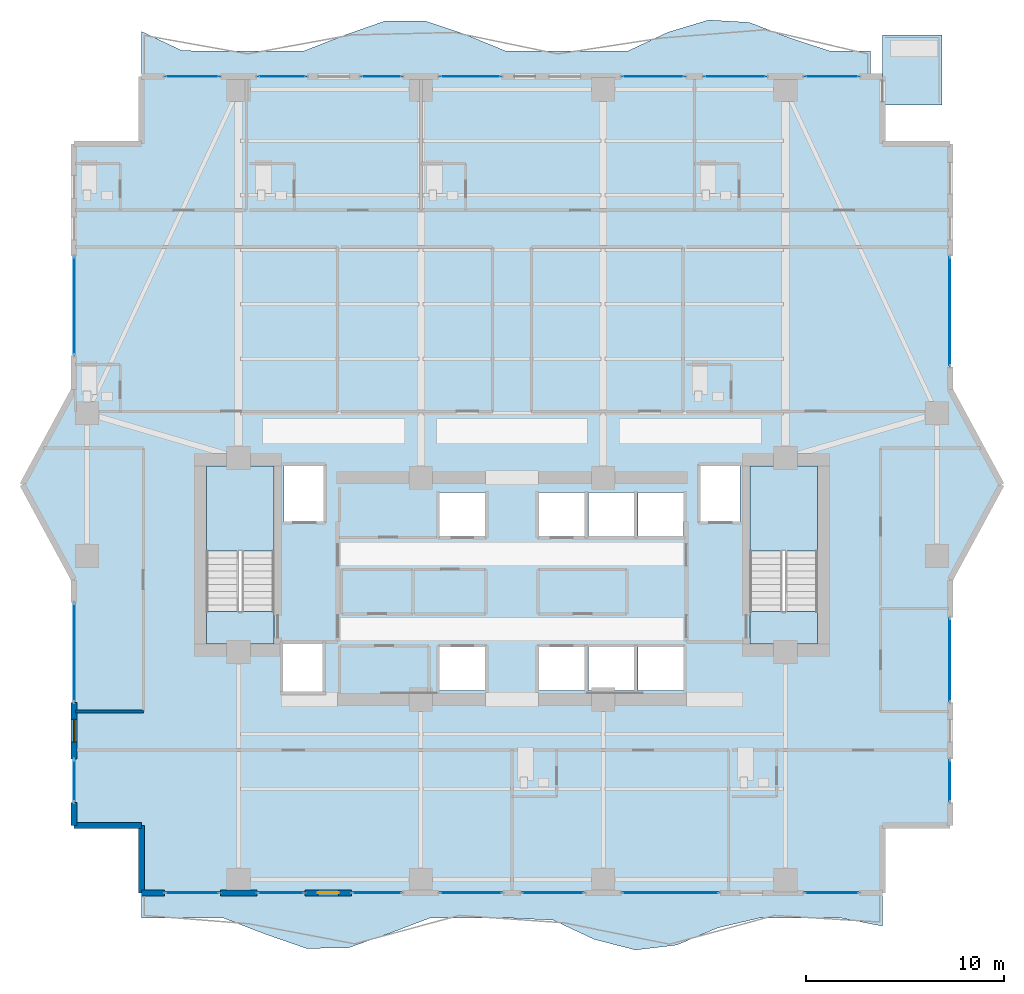
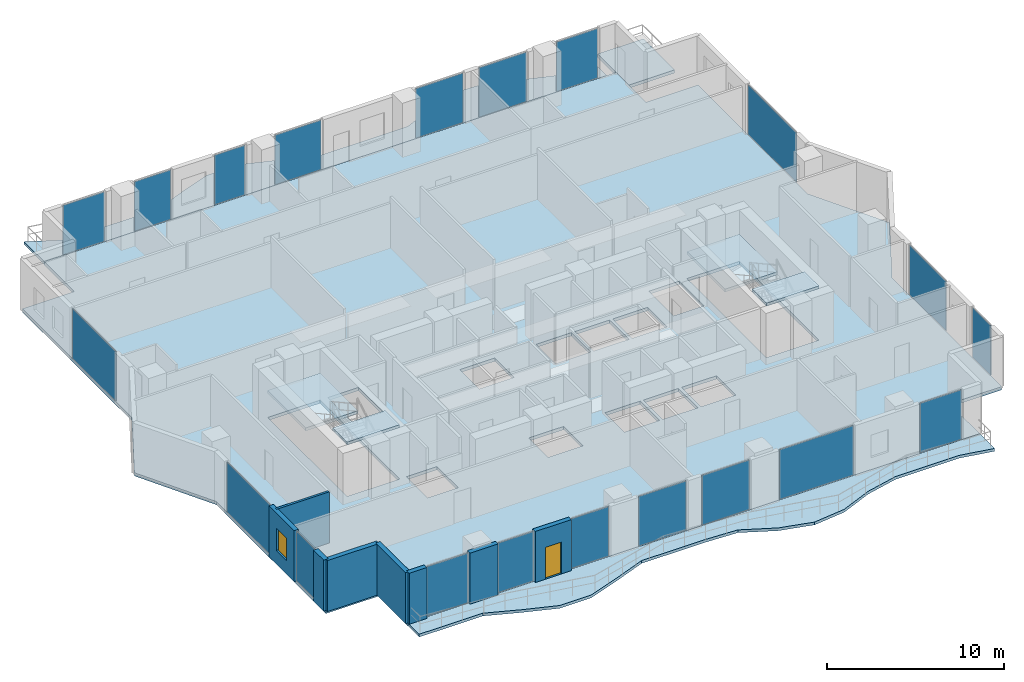
# One storey, part 24 of 32: 20 plates, 8 slabs, 8 walls, 1 door, 1 window, 2 openings, 22 elements without a shape of their own.
"""IFC4 building model written with IfcOpenShell, lengths in metres."""

from ifc_helpers import new_model, si_unit, direction, frame, frame_2d, origin, origin_2d, place, context, subcontext, project, spatial, polyline, rectangle, outline, extrude, material, layer, layer_set, type_object, element, fill, aggregate, save


model = new_model("IFC4")

# Units and contexts
model_context = context("Model", 3, precision=1e-05, world=origin(), true_north=direction((0.0, 1.0)))
body_context = subcontext(model_context, "Body", "Model", "MODEL_VIEW")
ifc_project = project(units=[si_unit("LENGTHUNIT", "METRE"), si_unit("AREAUNIT", "SQUARE_METRE"), si_unit("VOLUMEUNIT", "CUBIC_METRE"), si_unit("PLANEANGLEUNIT", "RADIAN"), si_unit("MASSUNIT", "GRAM", prefix="KILO")], contexts=[model_context])

# Site, building, storey
site_placement = place(None, origin())
site = spatial("IfcSite", under=ifc_project, at=site_placement, CompositionType="ELEMENT")
building_placement = place(site_placement, origin())
building = spatial("IfcBuilding", under=site, at=building_placement, Name="Zuhayl Quay Hotel", CompositionType="ELEMENT")
storey_placement = place(building_placement, frame((0.0, 0.0, 218.64990234375)))
storey = spatial("IfcBuildingStorey", under=building, at=storey_placement, Name="L55", CompositionType="ELEMENT", Elevation=218.64990234375)

# Curtain wall, plate
ifc_material_1 = material(Name="Anodised Aluminium 6063-T6", Category="aluminium")
ifc_layer_1 = layer(ifc_material_1, 0.175048828125, Name="Anodised Aluminium 6063-T6", Category="aluminium")
ifc_layer_set_1 = layer_set([ifc_layer_1], Name="Anodised Aluminium 6063-T6")
curtain_wall_type = type_object("IfcCurtainWallType", Name="CW_SYS_Z3", PredefinedType="USERDEFINED", material=ifc_layer_set_1)
curtain_wall_1_placement = place(storey_placement, origin())
curtain_wall_1 = element("IfcCurtainWall", 1, at=curtain_wall_1_placement, inside=storey, type_object=curtain_wall_type, Name="L55 Curtain Wall ENV_L55_E02_CW1", ObjectType="UNITISED CURTAIN WALL", PredefinedType="USERDEFINED")
ifc_material_2 = material(Name="Dark Ceramic-Fritted Solar Glass", Category="glass")
ifc_layer_2 = layer(ifc_material_2, 0.0400390625, Name="Dark Ceramic-Fritted Solar Glass", Category="glass")
ifc_layer_set_2 = layer_set([ifc_layer_2], Name="Dark Ceramic-Fritted Solar Glass")
plate_type = type_object("IfcPlateType", Name="PN_OP_VENT_Z3", PredefinedType="CURTAIN_PANEL", material=ifc_layer_set_2)
plate_1_placement = place(storey_placement, frame((-22.10009765625, -1.949951171875, 0.05517578125), z_axis=(0.0, 0.0, 1.0), x_axis=(0.0, 1.0, 0.0)))
plate_1 = element("IfcPlate", 2, at=plate_1_placement, type_object=plate_type, Name="CW-Z3 panel 1.1", PredefinedType="CURTAIN_PANEL", context=body_context, shape_type="SweptSolid", body=[
    extrude(rectangle(XDim=2.070068359375, YDim=0.0400390625, at=origin_2d()), origin(), (0.0, 0.0, 1.0), 3.419921875),
])
aggregate(curtain_wall_1, [plate_1])

curtain_wall_2_placement = place(storey_placement, origin())
curtain_wall_2 = element("IfcCurtainWall", 3, at=curtain_wall_2_placement, inside=storey, type_object=curtain_wall_type, Name="L55 Curtain Wall ENV_L55_E02_CW2", ObjectType="UNITISED CURTAIN WALL", PredefinedType="USERDEFINED")
plate_2_placement = place(storey_placement, frame((-22.10009765625, 4.52490234375, 0.05517578125), z_axis=(0.0, 0.0, 1.0), x_axis=(0.0, 1.0, 0.0)))
plate_2 = element("IfcPlate", 4, at=plate_2_placement, type_object=plate_type, Name="CW-Z3 panel 1.1", PredefinedType="CURTAIN_PANEL", context=body_context, shape_type="SweptSolid", body=[
    extrude(rectangle(XDim=4.919921875, YDim=0.0400390625, at=origin_2d()), origin(), (0.0, 0.0, 1.0), 3.419921875),
])
aggregate(curtain_wall_2, [plate_2])

curtain_wall_3_placement = place(storey_placement, origin())
curtain_wall_3 = element("IfcCurtainWall", 5, at=curtain_wall_3_placement, inside=storey, type_object=curtain_wall_type, Name="L55 Curtain Wall ENV_L55_E05_CW1", ObjectType="UNITISED CURTAIN WALL", PredefinedType="USERDEFINED")
plate_3_placement = place(storey_placement, frame((-22.10009765625, 22.030029296875, 0.05517578125), z_axis=(0.0, 0.0, 1.0), x_axis=(0.0, 1.0, 0.0)))
plate_3 = element("IfcPlate", 6, at=plate_3_placement, type_object=plate_type, Name="CW-Z3 panel 1.1", PredefinedType="CURTAIN_PANEL", context=body_context, shape_type="SweptSolid", body=[
    extrude(rectangle(XDim=4.909912109375, YDim=0.0400390625, at=origin_2d()), origin(), (0.0, 0.0, 1.0), 3.419921875),
])
aggregate(curtain_wall_3, [plate_3])

curtain_wall_4_placement = place(storey_placement, origin())
curtain_wall_4 = element("IfcCurtainWall", 7, at=curtain_wall_4_placement, inside=storey, type_object=curtain_wall_type, Name="L55 Curtain Wall ENV_L55_N_CW1", ObjectType="UNITISED CURTAIN WALL", PredefinedType="USERDEFINED")
plate_4_placement = place(storey_placement, frame((-16.135009765625, 33.60009765625, 0.05517578125), z_axis=(0.0, 0.0, 1.0), x_axis=(1.0, 0.0, 0.0)))
plate_4 = element("IfcPlate", 8, at=plate_4_placement, type_object=plate_type, Name="CW-Z3 panel 1.1", PredefinedType="CURTAIN_PANEL", context=body_context, shape_type="SweptSolid", body=[
    extrude(rectangle(XDim=2.699951171875, YDim=0.0400390625, at=origin_2d()), origin(), (0.0, 0.0, 1.0), 3.419921875),
])
aggregate(curtain_wall_4, [plate_4])

curtain_wall_5_placement = place(storey_placement, origin())
curtain_wall_5 = element("IfcCurtainWall", 9, at=curtain_wall_5_placement, inside=storey, type_object=curtain_wall_type, Name="L55 Curtain Wall ENV_L55_N_CW2", ObjectType="UNITISED CURTAIN WALL", PredefinedType="USERDEFINED")
plate_5_placement = place(storey_placement, frame((-11.614990234375, 33.60009765625, 0.05517578125), z_axis=(0.0, 0.0, 1.0), x_axis=(1.0, 0.0, 0.0)))
plate_5 = element("IfcPlate", 10, at=plate_5_placement, type_object=plate_type, Name="CW-Z3 panel 1.1", PredefinedType="CURTAIN_PANEL", context=body_context, shape_type="SweptSolid", body=[
    extrude(rectangle(XDim=2.39990234375, YDim=0.0400390625, at=origin_2d()), origin(), (0.0, 0.0, 1.0), 3.419921875),
])
aggregate(curtain_wall_5, [plate_5])

curtain_wall_6_placement = place(storey_placement, origin())
curtain_wall_6 = element("IfcCurtainWall", 11, at=curtain_wall_6_placement, inside=storey, type_object=curtain_wall_type, Name="L55 Curtain Wall ENV_L55_N_CW3", ObjectType="UNITISED CURTAIN WALL", PredefinedType="USERDEFINED")
plate_6_placement = place(storey_placement, frame((-6.5849609375, 33.60009765625, 0.05517578125), z_axis=(0.0, 0.0, 1.0), x_axis=(1.0, 0.0, 0.0)))
plate_6 = element("IfcPlate", 12, at=plate_6_placement, type_object=plate_type, Name="CW-Z3 panel 1.1", PredefinedType="CURTAIN_PANEL", context=body_context, shape_type="SweptSolid", body=[
    extrude(rectangle(XDim=2.0, YDim=0.0400390625, at=origin_2d()), origin(), (0.0, 0.0, 1.0), 3.419921875),
])
aggregate(curtain_wall_6, [plate_6])

curtain_wall_7_placement = place(storey_placement, origin())
curtain_wall_7 = element("IfcCurtainWall", 13, at=curtain_wall_7_placement, inside=storey, type_object=curtain_wall_type, Name="L55 Curtain Wall ENV_L55_N_CW4", ObjectType="UNITISED CURTAIN WALL", PredefinedType="USERDEFINED")
plate_7_placement = place(storey_placement, frame((-2.10546875, 33.60009765625, 0.05517578125), z_axis=(0.0, 0.0, 1.0), x_axis=(1.0, 0.0, 0.0)))
plate_7 = element("IfcPlate", 14, at=plate_7_placement, type_object=plate_type, Name="CW-Z3 panel 1.1", PredefinedType="CURTAIN_PANEL", context=body_context, shape_type="SweptSolid", body=[
    extrude(rectangle(XDim=3.01904296875, YDim=0.0400390625, at=origin_2d()), origin(), (0.0, 0.0, 1.0), 3.419921875),
])
aggregate(curtain_wall_7, [plate_7])

curtain_wall_8_placement = place(storey_placement, origin())
curtain_wall_8 = element("IfcCurtainWall", 15, at=curtain_wall_8_placement, inside=storey, type_object=curtain_wall_type, Name="L55 Curtain Wall ENV_L55_N_CW5", ObjectType="UNITISED CURTAIN WALL", PredefinedType="USERDEFINED")
plate_8_placement = place(storey_placement, frame((7.135009765625, 33.60009765625, 0.05517578125), z_axis=(0.0, 0.0, 1.0), x_axis=(1.0, 0.0, 0.0)))
plate_8 = element("IfcPlate", 16, at=plate_8_placement, type_object=plate_type, Name="CW-Z3 panel 1.1", PredefinedType="CURTAIN_PANEL", context=body_context, shape_type="SweptSolid", body=[
    extrude(rectangle(XDim=3.10009765625, YDim=0.0400390625, at=origin_2d()), origin(), (0.0, 0.0, 1.0), 3.419921875),
])
aggregate(curtain_wall_8, [plate_8])

curtain_wall_9_placement = place(storey_placement, origin())
curtain_wall_9 = element("IfcCurtainWall", 17, at=curtain_wall_9_placement, inside=storey, type_object=curtain_wall_type, Name="L55 Curtain Wall ENV_L55_N_CW6", ObjectType="UNITISED CURTAIN WALL", PredefinedType="USERDEFINED")
plate_9_placement = place(storey_placement, frame((11.264892578125, 33.60009765625, 0.05517578125), z_axis=(0.0, 0.0, 1.0), x_axis=(1.0, 0.0, 0.0)))
plate_9 = element("IfcPlate", 18, at=plate_9_placement, type_object=plate_type, Name="CW-Z3 panel 1.1", PredefinedType="CURTAIN_PANEL", context=body_context, shape_type="SweptSolid", body=[
    extrude(rectangle(XDim=3.10009765625, YDim=0.0400390625, at=origin_2d()), origin(), (0.0, 0.0, 1.0), 3.419921875),
])
aggregate(curtain_wall_9, [plate_9])

curtain_wall_10_placement = place(storey_placement, origin())
curtain_wall_10 = element("IfcCurtainWall", 19, at=curtain_wall_10_placement, inside=storey, type_object=curtain_wall_type, Name="L55 Curtain Wall ENV_L55_N_CW7", ObjectType="UNITISED CURTAIN WALL", PredefinedType="USERDEFINED")
plate_10_placement = place(storey_placement, frame((16.135009765625, 33.60009765625, 0.05517578125), z_axis=(0.0, 0.0, 1.0), x_axis=(1.0, 0.0, 0.0)))
plate_10 = element("IfcPlate", 20, at=plate_10_placement, type_object=plate_type, Name="CW-Z3 panel 1.1", PredefinedType="CURTAIN_PANEL", context=body_context, shape_type="SweptSolid", body=[
    extrude(rectangle(XDim=2.699951171875, YDim=0.0400390625, at=origin_2d()), origin(), (0.0, 0.0, 1.0), 3.419921875),
])
aggregate(curtain_wall_10, [plate_10])

curtain_wall_11_placement = place(storey_placement, origin())
curtain_wall_11 = element("IfcCurtainWall", 21, at=curtain_wall_11_placement, inside=storey, type_object=curtain_wall_type, Name="L55 Curtain Wall ENV_L55_E11_CW1", ObjectType="UNITISED CURTAIN WALL", PredefinedType="USERDEFINED")
plate_11_placement = place(storey_placement, frame((22.10009765625, 21.75, 0.05517578125), z_axis=(0.0, 0.0, 1.0), x_axis=(0.0, -1.0, 0.0)))
plate_11 = element("IfcPlate", 22, at=plate_11_placement, type_object=plate_type, Name="CW-Z3 panel 1.1", PredefinedType="CURTAIN_PANEL", context=body_context, shape_type="SweptSolid", body=[
    extrude(rectangle(XDim=5.469970703125, YDim=0.0400390625, at=origin_2d()), origin(), (0.0, 0.0, 1.0), 3.419921875),
])
aggregate(curtain_wall_11, [plate_11])

curtain_wall_12_placement = place(storey_placement, origin())
curtain_wall_12 = element("IfcCurtainWall", 23, at=curtain_wall_12_placement, inside=storey, type_object=curtain_wall_type, Name="L55 Curtain Wall ENV_L55_E14_CW1", ObjectType="UNITISED CURTAIN WALL", PredefinedType="USERDEFINED")
plate_12_placement = place(storey_placement, frame((22.10009765625, 4.14990234375, 0.05517578125), z_axis=(0.0, 0.0, 1.0), x_axis=(0.0, -1.0, 0.0)))
plate_12 = element("IfcPlate", 24, at=plate_12_placement, type_object=plate_type, Name="CW-Z3 panel 1.1", PredefinedType="CURTAIN_PANEL", context=body_context, shape_type="SweptSolid", body=[
    extrude(rectangle(XDim=4.169921875, YDim=0.0400390625, at=origin_2d()), origin(), (0.0, 0.0, 1.0), 3.419921875),
])
aggregate(curtain_wall_12, [plate_12])

curtain_wall_13_placement = place(storey_placement, origin())
curtain_wall_13 = element("IfcCurtainWall", 25, at=curtain_wall_13_placement, inside=storey, type_object=curtain_wall_type, Name="L55 Curtain Wall ENV_L55_E14_CW2", ObjectType="UNITISED CURTAIN WALL", PredefinedType="USERDEFINED")
plate_13_placement = place(storey_placement, frame((22.10009765625, -1.949951171875, 0.05517578125), z_axis=(0.0, 0.0, 1.0), x_axis=(0.0, -1.0, 0.0)))
plate_13 = element("IfcPlate", 26, at=plate_13_placement, type_object=plate_type, Name="CW-Z3 panel 1.1", PredefinedType="CURTAIN_PANEL", context=body_context, shape_type="SweptSolid", body=[
    extrude(rectangle(XDim=2.070068359375, YDim=0.0400390625, at=origin_2d()), origin(), (0.0, 0.0, 1.0), 3.419921875),
])
aggregate(curtain_wall_13, [plate_13])

curtain_wall_14_placement = place(storey_placement, origin())
curtain_wall_14 = element("IfcCurtainWall", 27, at=curtain_wall_14_placement, inside=storey, type_object=curtain_wall_type, Name="L55 Curtain Wall ENV_L55_S_CW1", ObjectType="UNITISED CURTAIN WALL", PredefinedType="USERDEFINED")
plate_14_placement = place(storey_placement, frame((16.135009765625, -7.60009765625, 0.05517578125), z_axis=(0.0, 0.0, 1.0), x_axis=(-1.0, 0.0, 0.0)))
plate_14 = element("IfcPlate", 28, at=plate_14_placement, type_object=plate_type, Name="CW-Z3 panel 1.1", PredefinedType="CURTAIN_PANEL", context=body_context, shape_type="SweptSolid", body=[
    extrude(rectangle(XDim=2.699951171875, YDim=0.0400390625, at=origin_2d()), origin(), (0.0, 0.0, 1.0), 3.419921875),
])
aggregate(curtain_wall_14, [plate_14])

curtain_wall_15_placement = place(storey_placement, origin())
curtain_wall_15 = element("IfcCurtainWall", 29, at=curtain_wall_15_placement, inside=storey, type_object=curtain_wall_type, Name="L55 Curtain Wall ENV_L55_S_CW2", ObjectType="UNITISED CURTAIN WALL", PredefinedType="USERDEFINED")
plate_15_placement = place(storey_placement, frame((8.0048828125, -7.60009765625, 0.05517578125), z_axis=(0.0, 0.0, 1.0), x_axis=(-1.0, 0.0, 0.0)))
plate_15 = element("IfcPlate", 30, at=plate_15_placement, type_object=plate_type, Name="CW-Z3 panel 1.1", PredefinedType="CURTAIN_PANEL", context=body_context, shape_type="SweptSolid", body=[
    extrude(rectangle(XDim=4.840087890625, YDim=0.0400390625, at=origin_2d()), origin(), (0.0, 0.0, 1.0), 3.419921875),
])
aggregate(curtain_wall_15, [plate_15])

curtain_wall_16_placement = place(storey_placement, origin())
curtain_wall_16 = element("IfcCurtainWall", 31, at=curtain_wall_16_placement, inside=storey, type_object=curtain_wall_type, Name="L55 Curtain Wall ENV_L55_S_CW3", ObjectType="UNITISED CURTAIN WALL", PredefinedType="USERDEFINED")
plate_16_placement = place(storey_placement, frame((2.06494140625, -7.60009765625, 0.05517578125), z_axis=(0.0, 0.0, 1.0), x_axis=(-1.0, 0.0, 0.0)))
plate_16 = element("IfcPlate", 32, at=plate_16_placement, type_object=plate_type, Name="CW-Z3 panel 1.1", PredefinedType="CURTAIN_PANEL", context=body_context, shape_type="SweptSolid", body=[
    extrude(rectangle(XDim=3.10009765625, YDim=0.0400390625, at=origin_2d()), origin(), (0.0, 0.0, 1.0), 3.419921875),
])
aggregate(curtain_wall_16, [plate_16])

curtain_wall_17_placement = place(storey_placement, origin())
curtain_wall_17 = element("IfcCurtainWall", 33, at=curtain_wall_17_placement, inside=storey, type_object=curtain_wall_type, Name="L55 Curtain Wall ENV_L55_S_CW4", ObjectType="UNITISED CURTAIN WALL", PredefinedType="USERDEFINED")
plate_17_placement = place(storey_placement, frame((-2.06494140625, -7.60009765625, 0.05517578125), z_axis=(0.0, 0.0, 1.0), x_axis=(-1.0, 0.0, 0.0)))
plate_17 = element("IfcPlate", 34, at=plate_17_placement, type_object=plate_type, Name="CW-Z3 panel 1.1", PredefinedType="CURTAIN_PANEL", context=body_context, shape_type="SweptSolid", body=[
    extrude(rectangle(XDim=3.10009765625, YDim=0.0400390625, at=origin_2d()), origin(), (0.0, 0.0, 1.0), 3.419921875),
])
aggregate(curtain_wall_17, [plate_17])

curtain_wall_18_placement = place(storey_placement, origin())
curtain_wall_18 = element("IfcCurtainWall", 35, at=curtain_wall_18_placement, inside=storey, type_object=curtain_wall_type, Name="L55 Curtain Wall ENV_L55_S_CW5", ObjectType="UNITISED CURTAIN WALL", PredefinedType="USERDEFINED")
plate_18_placement = place(storey_placement, frame((-6.81005859375, -7.60009765625, 0.05517578125), z_axis=(0.0, 0.0, 1.0), x_axis=(-1.0, 0.0, 0.0)))
plate_18 = element("IfcPlate", 36, at=plate_18_placement, type_object=plate_type, Name="CW-Z3 panel 1.1", PredefinedType="CURTAIN_PANEL", context=body_context, shape_type="SweptSolid", body=[
    extrude(rectangle(XDim=2.449951171875, YDim=0.0400390625, at=origin_2d()), origin(), (0.0, 0.0, 1.0), 3.419921875),
])
aggregate(curtain_wall_18, [plate_18])

curtain_wall_19_placement = place(storey_placement, origin())
curtain_wall_19 = element("IfcCurtainWall", 37, at=curtain_wall_19_placement, inside=storey, type_object=curtain_wall_type, Name="L55 Curtain Wall ENV_L55_S_CW6", ObjectType="UNITISED CURTAIN WALL", PredefinedType="USERDEFINED")
plate_19_placement = place(storey_placement, frame((-11.6650390625, -7.60009765625, 0.05517578125), z_axis=(0.0, 0.0, 1.0), x_axis=(-1.0, 0.0, 0.0)))
plate_19 = element("IfcPlate", 38, at=plate_19_placement, type_object=plate_type, Name="CW-Z3 panel 1.1", PredefinedType="CURTAIN_PANEL", context=body_context, shape_type="SweptSolid", body=[
    extrude(rectangle(XDim=2.300048828125, YDim=0.0400390625, at=origin_2d()), origin(), (0.0, 0.0, 1.0), 3.419921875),
])
aggregate(curtain_wall_19, [plate_19])

curtain_wall_20_placement = place(storey_placement, origin())
curtain_wall_20 = element("IfcCurtainWall", 39, at=curtain_wall_20_placement, inside=storey, type_object=curtain_wall_type, Name="L55 Curtain Wall ENV_L55_S_CW7", ObjectType="UNITISED CURTAIN WALL", PredefinedType="USERDEFINED")
plate_20_placement = place(storey_placement, frame((-16.135009765625, -7.60009765625, 0.05517578125), z_axis=(0.0, 0.0, 1.0), x_axis=(-1.0, 0.0, 0.0)))
plate_20 = element("IfcPlate", 40, at=plate_20_placement, type_object=plate_type, Name="CW-Z3 panel 1.1", PredefinedType="CURTAIN_PANEL", context=body_context, shape_type="SweptSolid", body=[
    extrude(rectangle(XDim=2.699951171875, YDim=0.0400390625, at=origin_2d()), origin(), (0.0, 0.0, 1.0), 3.419921875),
])
aggregate(curtain_wall_20, [plate_20])

# Slabs
ifc_material_3 = material(Name="Concrete C45/55", Category="concrete")
ifc_layer_3 = layer(ifc_material_3, 0.195068359375, Name="Concrete C45/55", Category="concrete")
ifc_layer_set_3 = layer_set([ifc_layer_3], Name="Concrete C45/55")
slab_type_1 = type_object("IfcSlabType", Name="SL_BALCONY_195", PredefinedType="FLOOR", material=ifc_layer_set_3)
slab_1_placement = place(storey_placement, frame((0.0, 0.0, -0.19482421875)))
element("IfcSlab", 41, at=slab_1_placement, inside=storey, type_object=slab_type_1, Name="L55 Exterior Rippling Balcony Slab North", PredefinedType="FLOOR", context=body_context, shape_type="SweptSolid", body=[
    extrude(outline(polyline([(-18.699951171875, 33.60009765625), (18.10009765625, 33.60009765625), (18.10009765625, 34.8798828125), (16.0556640625, 34.8798828125), (14.010986328125, 35.552490234375), (11.966796875, 36.33251953125), (9.922119140625, 36.45166015625), (7.877685546875, 35.8369140625), (5.833251953125, 34.8798828125), (3.788818359375, 34.8798828125), (1.744384765625, 34.8798828125), (-0.300048828125, 34.8798828125), (-2.344482421875, 35.71826171875), (-4.388916015625, 36.408935546875), (-6.433349609375, 36.391845703125), (-8.477783203125, 35.677490234375), (-10.522216796875, 34.8798828125), (-12.566650390625, 34.8798828125), (-14.611083984375, 34.8798828125), (-16.655517578125, 34.905517578125), (-18.699951171875, 35.875), (-18.699951171875, 33.60009765625)])), origin(), (0.0, 0.0, 1.0), 0.19482421875),
])
slab_2_placement = place(storey_placement, frame((0.0, 0.0, -0.19482421875)))
element("IfcSlab", 42, at=slab_2_placement, inside=storey, type_object=slab_type_1, Name="L55 Exterior Rippling Balcony Slab South", PredefinedType="FLOOR", context=body_context, shape_type="SweptSolid", body=[
    extrude(outline(polyline([(-18.699951171875, -8.8798828125), (-16.622314453125, -8.8798828125), (-14.54443359375, -8.8798828125), (-12.466796875, -9.6826171875), (-10.388916015625, -10.400634765625), (-8.31103515625, -10.39404296875), (-6.2333984375, -9.667236328125), (-4.155517578125, -8.8798828125), (-2.077880859375, -8.8798828125), (0.0, -8.8798828125), (2.077880859375, -8.9794921875), (4.155517578125, -9.95361328125), (6.2333984375, -10.484619140625), (8.31103515625, -10.23828125), (10.388916015625, -9.369873046875), (12.466796875, -8.8798828125), (14.54443359375, -8.8798828125), (16.622314453125, -8.8798828125), (18.699951171875, -9.28271484375), (18.699951171875, -7.60009765625), (-18.699951171875, -7.60009765625), (-18.699951171875, -8.8798828125)])), origin(), (0.0, 0.0, 1.0), 0.19482421875),
])
ifc_layer_4 = layer(ifc_material_3, 0.219970703125, Name="Concrete C45/55", Category="concrete")
ifc_layer_set_4 = layer_set([ifc_layer_4], Name="Concrete C45/55")
slab_type_2 = type_object("IfcSlabType", Name="SL_FLOOR_220", PredefinedType="FLOOR", material=ifc_layer_set_4)
slab_3_placement = place(storey_placement, frame((0.0, 0.0, -0.219970703125)))
element("IfcSlab", 43, at=slab_3_placement, inside=storey, type_object=slab_type_2, Name="L55 Structural Floor Slab", PredefinedType="FLOOR", context=body_context, shape_type="SweptSolid", body=[
    extrude(outline(polyline([(-18.699951171875, -7.60009765625), (18.699951171875, -7.60009765625), (18.699951171875, -4.199951171875), (22.10009765625, -4.199951171875), (22.10009765625, 8.199951171875), (24.699951171875, 13.0), (22.10009765625, 17.800048828125), (22.10009765625, 30.199951171875), (18.699951171875, 30.199951171875), (18.699951171875, 33.60009765625), (-18.699951171875, 33.60009765625), (-18.699951171875, 30.199951171875), (-22.10009765625, 30.199951171875), (-22.10009765625, 17.800048828125), (-24.699951171875, 13.0), (-22.10009765625, 8.199951171875), (-22.10009765625, -4.199951171875), (-18.699951171875, -4.199951171875), (-18.699951171875, -7.60009765625)]), holes=[polyline([(-12.0, 4.949951171875), (-12.0, 13.949951171875), (-15.429931640625, 13.949951171875), (-15.429931640625, 4.949951171875), (-12.0, 4.949951171875)]), polyline([(15.429931640625, 4.949951171875), (15.429931640625, 13.949951171875), (12.0, 13.949951171875), (12.0, 4.949951171875), (15.429931640625, 4.949951171875)]), polyline([(-11.5, 11.14990234375), (-9.5, 11.14990234375), (-9.5, 13.949951171875), (-11.5, 13.949951171875), (-11.5, 11.14990234375)]), polyline([(9.5, 11.14990234375), (11.5, 11.14990234375), (11.5, 13.949951171875), (9.5, 13.949951171875), (9.5, 11.14990234375)]), polyline([(-3.64990234375, 2.60009765625), (-1.35009765625, 2.60009765625), (-1.35009765625, 4.800048828125), (-3.64990234375, 4.800048828125), (-3.64990234375, 2.60009765625)]), polyline([(1.35009765625, 2.60009765625), (3.64990234375, 2.60009765625), (3.64990234375, 4.800048828125), (1.35009765625, 4.800048828125), (1.35009765625, 2.60009765625)]), polyline([(-3.64990234375, 10.39990234375), (-1.35009765625, 10.39990234375), (-1.35009765625, 12.60009765625), (-3.64990234375, 12.60009765625), (-3.64990234375, 10.39990234375)]), polyline([(1.35009765625, 10.39990234375), (3.64990234375, 10.39990234375), (3.64990234375, 12.60009765625), (1.35009765625, 12.60009765625), (1.35009765625, 10.39990234375)]), polyline([(3.85009765625, 2.60009765625), (6.14990234375, 2.60009765625), (6.14990234375, 4.800048828125), (3.85009765625, 4.800048828125), (3.85009765625, 2.60009765625)]), polyline([(6.35009765625, 2.60009765625), (8.64990234375, 2.60009765625), (8.64990234375, 4.800048828125), (6.35009765625, 4.800048828125), (6.35009765625, 2.60009765625)]), polyline([(3.85009765625, 10.39990234375), (6.14990234375, 10.39990234375), (6.14990234375, 12.60009765625), (3.85009765625, 12.60009765625), (3.85009765625, 10.39990234375)]), polyline([(6.35009765625, 10.39990234375), (8.64990234375, 10.39990234375), (8.64990234375, 12.60009765625), (6.35009765625, 12.60009765625), (6.35009765625, 10.39990234375)]), polyline([(-11.550048828125, 2.550048828125), (-9.550048828125, 2.550048828125), (-9.550048828125, 4.949951171875), (-11.550048828125, 4.949951171875), (-11.550048828125, 2.550048828125)])]), origin(), (0.0, 0.0, 1.0), 0.219970703125),
])

# Stair, slabs
stair_type = type_object("IfcStairType", Name="ST_DOGLEG_TOWER", PredefinedType="HALF_TURN_STAIR", material=ifc_material_3)
stair_1_placement = place(storey_placement, origin())
stair_1 = element("IfcStair", 44, at=stair_1_placement, inside=storey, type_object=stair_type, Name="L55 Smokeproof Exit Stair ST1", PredefinedType="HALF_TURN_STAIR")
ifc_layer_5 = layer(ifc_material_3, 0.199951171875, Name="Concrete C45/55", Category="concrete")
ifc_layer_set_5 = layer_set([ifc_layer_5], Name="Concrete C45/55")
slab_type_3 = type_object("IfcSlabType", Name="SL_STAIR_LANDING_200", PredefinedType="LANDING", material=ifc_layer_set_5)
slab_4_placement = place(storey_placement, frame((0.0, 0.0, 1.675048828125)))
slab_4 = element("IfcSlab", 45, at=slab_4_placement, type_object=slab_type_3, Name="ST1 landing 1", PredefinedType="LANDING", context=body_context, shape_type="SweptSolid", body=[
    extrude(outline(polyline([(-12.0, 9.64990234375), (-12.0, 13.949951171875), (-15.429931640625, 13.949951171875), (-15.429931640625, 9.64990234375), (-12.0, 9.64990234375)])), origin(), (0.0, 0.0, 1.0), 0.199951171875),
])
slab_5_placement = place(storey_placement, frame((0.0, 0.0, 3.550048828125)))
slab_5 = element("IfcSlab", 46, at=slab_5_placement, type_object=slab_type_3, Name="ST1 landing 2", PredefinedType="LANDING", context=body_context, shape_type="SweptSolid", body=[
    extrude(outline(polyline([(-12.0, 4.949951171875), (-12.0, 6.590087890625), (-15.429931640625, 6.590087890625), (-15.429931640625, 4.949951171875), (-12.0, 4.949951171875)])), origin(), (0.0, 0.0, 1.0), 0.199951171875),
])
aggregate(stair_1, [slab_4, slab_5])

stair_2_placement = place(storey_placement, origin())
stair_2 = element("IfcStair", 47, at=stair_2_placement, inside=storey, type_object=stair_type, Name="L55 Smokeproof Exit Stair ST2", PredefinedType="HALF_TURN_STAIR")
slab_6_placement = place(storey_placement, frame((0.0, 0.0, 1.675048828125)))
slab_6 = element("IfcSlab", 48, at=slab_6_placement, type_object=slab_type_3, Name="ST2 landing 1", PredefinedType="LANDING", context=body_context, shape_type="SweptSolid", body=[
    extrude(outline(polyline([(15.429931640625, 9.64990234375), (15.429931640625, 13.949951171875), (12.0, 13.949951171875), (12.0, 9.64990234375), (15.429931640625, 9.64990234375)])), origin(), (0.0, 0.0, 1.0), 0.199951171875),
])
slab_7_placement = place(storey_placement, frame((0.0, 0.0, 3.550048828125)))
slab_7 = element("IfcSlab", 49, at=slab_7_placement, type_object=slab_type_3, Name="ST2 landing 2", PredefinedType="LANDING", context=body_context, shape_type="SweptSolid", body=[
    extrude(outline(polyline([(15.429931640625, 4.949951171875), (15.429931640625, 6.590087890625), (12.0, 6.590087890625), (12.0, 4.949951171875), (15.429931640625, 4.949951171875)])), origin(), (0.0, 0.0, 1.0), 0.199951171875),
])
aggregate(stair_2, [slab_6, slab_7])

# Slab
ifc_layer_6 = layer(ifc_material_3, 0.219970703125, Name="Concrete C45/55", Category="concrete")
ifc_layer_set_6 = layer_set([ifc_layer_6], Name="Concrete C45/55")
slab_type_4 = type_object("IfcSlabType", Name="SL_TERRACE_235", PredefinedType="FLOOR", material=ifc_layer_set_6)
slab_8_placement = place(storey_placement, frame((0.0, 0.0, -0.219970703125)))
element("IfcSlab", 50, at=slab_8_placement, inside=storey, type_object=slab_type_4, Name="L55 Exterior Sky-Terrace Slab L55_SPIRAL_NE", PredefinedType="FLOOR", context=body_context, shape_type="SweptSolid", body=[
    extrude(outline(polyline([(18.699951171875, 32.14990234375), (21.699951171875, 32.14990234375), (21.699951171875, 35.699951171875), (18.699951171875, 35.699951171875), (18.699951171875, 32.14990234375)])), origin(), (0.0, 0.0, 1.0), 0.219970703125),
])

# Walls
ifc_material_4 = material(Name="Precast concrete C45/55", Category="concrete")
ifc_layer_7 = layer(ifc_material_4, 0.300048828125, Name="Precast concrete C45/55", Category="concrete")
ifc_layer_set_7 = layer_set([ifc_layer_7], Name="Precast concrete C45/55")
wall_type_1 = type_object("IfcWallType", Name="WL_EXT_300", PredefinedType="STANDARD", material=ifc_layer_set_7)
wall_1_placement = place(storey_placement, frame((-18.699951171875, -4.199951171875, 0.0), z_axis=(0.0, 0.0, 1.0), x_axis=(-1.0, 0.0, 0.0)))
element("IfcWall", 51, at=wall_1_placement, inside=storey, type_object=wall_type_1, Name="L55 Exterior Precast Wall ENV_L55_EW01", PredefinedType="STANDARD", context=body_context, shape_type="SweptSolid", body=[
    extrude(rectangle(XDim=3.400146484375, YDim=0.300048828125, at=frame_2d((1.7001953125, 0.0))), origin(), (0.0, 0.0, 1.0), 3.530029296875),
])
wall_2_placement = place(storey_placement, frame((-22.10009765625, -4.199951171875, 0.0), z_axis=(0.0, 0.0, 1.0), x_axis=(0.0, 1.0, 0.0)))
element("IfcWall", 52, at=wall_2_placement, inside=storey, type_object=wall_type_1, Name="L55 Exterior Precast Wall ENV_L55_E02_EW1", PredefinedType="STANDARD", context=body_context, shape_type="SweptSolid", body=[
    extrude(rectangle(XDim=1.14990234375, YDim=0.300048828125, at=frame_2d((0.574951171875, 0.0))), origin(), (0.0, 0.0, 1.0), 3.530029296875),
])

# Wall, opening, window
wall_3_placement = place(storey_placement, frame((-22.10009765625, -0.85009765625, 0.0), z_axis=(0.0, 0.0, 1.0), x_axis=(0.0, 1.0, 0.0)))
wall_3 = element("IfcWall", 53, at=wall_3_placement, inside=storey, type_object=wall_type_1, Name="L55 Exterior Precast Wall ENV_L55_E02_EW2", PredefinedType="STANDARD", context=body_context, shape_type="SweptSolid", body=[
    extrude(rectangle(XDim=2.85009765625, YDim=0.300048828125, at=frame_2d((1.425048828125, 0.0))), origin(), (0.0, 0.0, 1.0), 3.530029296875),
])
opening_1_placement = place(wall_3_placement, frame((0.85009765625, 0.0, 0.949951171875)))
opening_1 = element("IfcOpeningElement", 54, at=opening_1_placement, cuts=wall_3, Name="Opening W01N", PredefinedType="OPENING", context=body_context, shape_type="SweptSolid", body=[
    extrude(rectangle(XDim=1.14990234375, YDim=1.550048828125, at=frame_2d((0.574951171875, 0.77490234375))), frame((0.0, 0.159912109375, 0.0), z_axis=(0.0, -1.0, 0.0), x_axis=(1.0, 0.0, 0.0)), (0.0, 0.0, 1.0), 0.320068359375),
])
window_type = type_object("IfcWindowType", Name="WN_NOTCH_1350", PartitioningType="SINGLE_PANEL", PredefinedType="WINDOW", material=ifc_material_2)
window_placement = place(opening_1_placement, origin())
window = element("IfcWindow", 55, at=window_placement, inside=storey, type_object=window_type, Name="L55 Operable Facade Window 2-1", OverallHeight=1.550048828125, OverallWidth=1.14990234375, PartitioningType="SINGLE_PANEL", PredefinedType="WINDOW", context=body_context, shape_type="SweptSolid", body=[
    extrude(rectangle(XDim=1.14990234375, YDim=1.550048828125, at=frame_2d((0.574951171875, 0.77490234375))), frame((0.0, 0.030029296875, 0.0), z_axis=(0.0, -1.0, 0.0), x_axis=(1.0, 0.0, 0.0)), (0.0, 0.0, 1.0), 0.06005859375),
])
fill(opening_1, window)

# Wall, opening, door
wall_4_placement = place(storey_placement, frame((-8.10009765625, -7.60009765625, 0.0), z_axis=(0.0, 0.0, 1.0), x_axis=(-1.0, 0.0, 0.0)))
wall_4 = element("IfcWall", 56, at=wall_4_placement, inside=storey, type_object=wall_type_1, Name="L55 Exterior Precast Wall ENV_L55_S_EW6", PredefinedType="STANDARD", context=body_context, shape_type="SweptSolid", body=[
    extrude(rectangle(XDim=2.349853515625, YDim=0.300048828125, at=frame_2d((1.1748046875, 0.0))), origin(), (0.0, 0.0, 1.0), 3.530029296875),
])
opening_2_placement = place(wall_4_placement, frame((0.64990234375, 0.0, 0.0)))
opening_2 = element("IfcOpeningElement", 57, at=opening_2_placement, cuts=wall_4, Name="Opening DG1", PredefinedType="OPENING", context=body_context, shape_type="SweptSolid", body=[
    extrude(rectangle(XDim=1.050048828125, YDim=2.199951171875, at=frame_2d((0.52490234375, 1.10009765625))), frame((0.0, 0.159912109375, 0.0), z_axis=(0.0, -1.0, 0.0), x_axis=(1.0, 0.0, 0.0)), (0.0, 0.0, 1.0), 0.320068359375),
])
ifc_material_5 = material(Name="Anodised Aluminium and Dark Solar Glass", Category="aluminium")
door_type = type_object("IfcDoorType", Name="DR_EXT_TERR_1050", OperationType="NOTDEFINED", PredefinedType="DOOR", material=ifc_material_5)
door_placement = place(opening_2_placement, origin())
door = element("IfcDoor", 58, at=door_placement, inside=storey, type_object=door_type, Name="L55 South Rippling Balcony Door", OperationType="SINGLE_SWING_RIGHT", OverallHeight=2.199951171875, OverallWidth=1.050048828125, PredefinedType="DOOR", context=body_context, shape_type="SweptSolid", body=[
    extrude(rectangle(XDim=1.050048828125, YDim=2.199951171875, at=frame_2d((0.52490234375, 1.10009765625))), frame((0.0, 0.02490234375, 0.0), z_axis=(0.0, -1.0, 0.0), x_axis=(1.0, 0.0, 0.0)), (0.0, 0.0, 1.0), 0.050048828125),
])
fill(opening_2, door)

# Walls
wall_5_placement = place(storey_placement, frame((-12.8798828125, -7.60009765625, 0.0), z_axis=(0.0, 0.0, 1.0), x_axis=(-1.0, 0.0, 0.0)))
element("IfcWall", 59, at=wall_5_placement, inside=storey, type_object=wall_type_1, Name="L55 Exterior Precast Wall ENV_L55_S_EW7", PredefinedType="STANDARD", context=body_context, shape_type="SweptSolid", body=[
    extrude(rectangle(XDim=1.840087890625, YDim=0.300048828125, at=frame_2d((0.919921875, 0.0))), origin(), (0.0, 0.0, 1.0), 3.530029296875),
])
wall_6_placement = place(storey_placement, frame((-17.550048828125, -7.60009765625, 0.0), z_axis=(0.0, 0.0, 1.0), x_axis=(-1.0, 0.0, 0.0)))
element("IfcWall", 60, at=wall_6_placement, inside=storey, type_object=wall_type_1, Name="L55 Exterior Precast Wall ENV_L55_S_EW8", PredefinedType="STANDARD", context=body_context, shape_type="SweptSolid", body=[
    extrude(rectangle(XDim=1.14990234375, YDim=0.300048828125, at=frame_2d((0.574951171875, 0.0))), origin(), (0.0, 0.0, 1.0), 3.530029296875),
])
wall_7_placement = place(storey_placement, frame((-18.699951171875, -7.60009765625, 0.0), z_axis=(0.0, 0.0, 1.0), x_axis=(0.0, 1.0, 0.0)))
element("IfcWall", 61, at=wall_7_placement, inside=storey, type_object=wall_type_1, Name="L55 Exterior Precast Wall ENV_L55_EW18", PredefinedType="STANDARD", context=body_context, shape_type="SweptSolid", body=[
    extrude(rectangle(XDim=3.400146484375, YDim=0.300048828125, at=frame_2d((1.7001953125, 0.0))), origin(), (0.0, 0.0, 1.0), 3.530029296875),
])
ifc_material_6 = material(Name="Acoustic Gypsum Partition STC-58")
ifc_layer_8 = layer(ifc_material_6, 0.14990234375, Name="Acoustic Gypsum Partition STC-58")
ifc_layer_set_8 = layer_set([ifc_layer_8], Name="Acoustic Gypsum Partition STC-58")
wall_type_2 = type_object("IfcWallType", Name="WL_PART_150", PredefinedType="PARTITIONING", material=ifc_layer_set_8)
wall_8_placement = place(storey_placement, frame((-22.0400390625, 1.550048828125, 0.0), z_axis=(0.0, 0.0, 1.0), x_axis=(1.0, 0.0, 0.0)))
element("IfcWall", 62, at=wall_8_placement, inside=storey, type_object=wall_type_2, Name="L55 Partition IW_L55_WPROW_1_S", PredefinedType="PARTITIONING", context=body_context, shape_type="SweptSolid", body=[
    extrude(rectangle(XDim=3.43994140625, YDim=0.14990234375, at=frame_2d((1.719970703125, 0.0))), origin(), (0.0, 0.0, 1.0), 3.530029296875),
])

save(model, "model.ifc")
